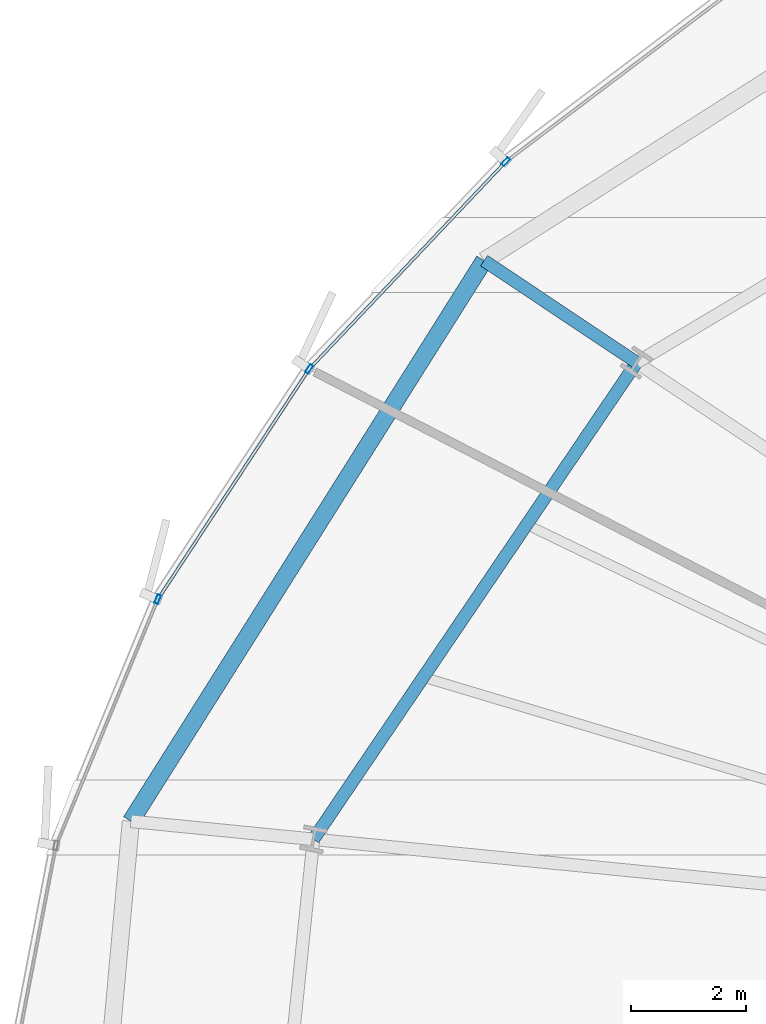
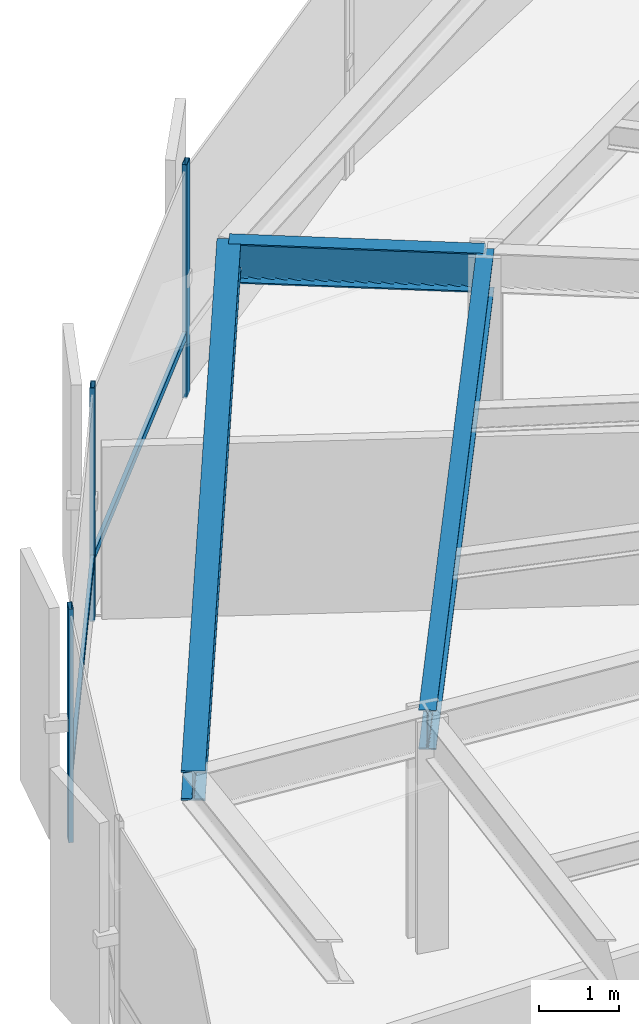
# One storey, part 18 of 37: 5 members, 3 beams, 1 element without a shape of its own.
"""IFC4 building model written with IfcOpenShell, lengths in metres."""

import ifcopenshell
import ifcopenshell.guid

model = None  # the IFC model being written
_history = None  # IfcOwnerHistory: only IFC2X3 demands one
_inside = {}  # id of a spatial element -> (the spatial element, [elements in it])
_under = {}  # id of a project, library or spatial element -> (it, [spatial elements below it])
_declared = {}  # id of a project -> (the project, [libraries it declares])
_typed = {}  # id of a type object -> (the type object, [elements of that type])
_made_of = {}  # id of a material, layer set ... -> (it, [elements and type objects made of it])


def new_model(schema):
    """Start an empty IFC model of exactly this schema.

    Asked for "IFC4X3", IfcOpenShell would pick the latest addendum, in which some entities
    have other attributes; the version numbers below select the first issue.
    IFC2X3 requires an IfcOwnerHistory on every rooted entity: one is made here for all.
    """
    global model, _history
    if schema == "IFC4X3":
        model = ifcopenshell.file(schema_version=(4, 3, 0, 0))
    else:
        model = ifcopenshell.file(schema=schema)
    _inside.clear()
    _under.clear()
    _declared.clear()
    _typed.clear()
    _made_of.clear()
    _history = None
    if model.schema == "IFC2X3":
        org = make("IfcOrganization", Name="unknown")
        user = make(
            "IfcPersonAndOrganization",
            ThePerson=make("IfcPerson", FamilyName="unknown"),
            TheOrganization=org,
        )
        app = make(
            "IfcApplication",
            ApplicationDeveloper=org,
            Version="unknown",
            ApplicationFullName="unknown",
            ApplicationIdentifier="unknown",
        )
        _history = make(
            "IfcOwnerHistory",
            OwningUser=user,
            OwningApplication=app,
            ChangeAction="ADDED",
            CreationDate=0,
        )
    return model


def make(cls, **values):
    """One entity of the class cls with the attributes given. An attribute that is None is left unset."""
    return model.create_entity(
        cls, **{name: value for name, value in values.items() if value is not None}
    )


def rooted(cls, **values):
    """An entity with a GlobalId (a new one), such as an element, a storey or a relation."""
    return make(cls, GlobalId=ifcopenshell.guid.new(), OwnerHistory=_history, **values)


def si_unit(unit_type, name, prefix=None):
    """IfcSIUnit, for example si_unit("LENGTHUNIT", "METRE", prefix="MILLI")."""
    return make("IfcSIUnit", UnitType=unit_type, Prefix=prefix, Name=name)


def assignment(units):
    """IfcUnitAssignment: the units of a project."""
    return None if units is None else make("IfcUnitAssignment", Units=units)


def point(xyz):
    """IfcCartesianPoint."""
    return None if xyz is None else make("IfcCartesianPoint", Coordinates=xyz)


def direction(xyz):
    """IfcDirection."""
    return None if xyz is None else make("IfcDirection", DirectionRatios=xyz)


def frame(location, z_axis=None, x_axis=None):
    """IfcAxis2Placement3D, a coordinate frame: its origin and axes. An axis left out is left unset."""
    return make(
        "IfcAxis2Placement3D",
        Location=point(location),
        Axis=direction(z_axis),
        RefDirection=direction(x_axis),
    )


def frame_2d(location, x_axis=None):
    """IfcAxis2Placement2D, a coordinate frame in the plane: its origin and x axis."""
    return make(
        "IfcAxis2Placement2D", Location=point(location), RefDirection=direction(x_axis)
    )


def origin():
    """The frame at (0, 0, 0) with its axes left unset."""
    return frame((0.0, 0.0, 0.0))


def origin_2d():
    """The frame at (0, 0) in the plane with its x axis left unset."""
    return frame_2d((0.0, 0.0))


def place(relative_to, where):
    """IfcLocalPlacement: puts the frame where relative to a parent placement (None: the world)."""
    return make(
        "IfcLocalPlacement", PlacementRelTo=relative_to, RelativePlacement=where
    )


def context(
    kind, dimensions, precision=None, world=None, true_north=None, identifier=None
):
    """IfcGeometricRepresentationContext, for example the 3D "Model" context."""
    return make(
        "IfcGeometricRepresentationContext",
        ContextIdentifier=identifier,
        ContextType=kind,
        CoordinateSpaceDimension=dimensions,
        Precision=precision,
        WorldCoordinateSystem=world,
        TrueNorth=true_north,
    )


def subcontext(parent, identifier, kind, view, scale=None):
    """IfcGeometricRepresentationSubContext, for example "Body" below "Model"."""
    return make(
        "IfcGeometricRepresentationSubContext",
        ContextIdentifier=identifier,
        ContextType=kind,
        ParentContext=parent,
        TargetScale=scale,
        TargetView=view,
    )


def project(units=None, contexts=None):
    """IfcProject with its units and contexts."""
    return rooted(
        "IfcProject",
        Name="project",
        RepresentationContexts=contexts,
        UnitsInContext=assignment(units),
    )


def spatial(cls, under=None, at=None, **own):
    """A site, building, storey or space (cls), placed at a placement, below another one or the project."""
    s = rooted(cls, ObjectPlacement=at, **own)
    if under is not None:
        _under.setdefault(under.id(), (under, []))[1].append(s)
    return s


def profile(cls, at=None, kind="AREA", **sizes):
    """A parametric profile (cls). Its sizes go by their IFC names, for example OverallWidth=200.0."""
    return make(cls, ProfileType=kind, Position=at, **sizes)


def hollow_rectangle(**sizes):
    """IfcRectangleHollowProfileDef."""
    return profile("IfcRectangleHollowProfileDef", **sizes)


def i_section(**sizes):
    """IfcIShapeProfileDef."""
    return profile("IfcIShapeProfileDef", **sizes)


def extrude(swept, where, along, depth):
    """IfcExtrudedAreaSolid: the profile swept, set in the frame where, extruded along a direction by depth."""
    return make(
        "IfcExtrudedAreaSolid",
        SweptArea=swept,
        Position=where,
        ExtrudedDirection=direction(along),
        Depth=depth,
    )


def shape(context_of_items, identifier, shape_type, items):
    """IfcShapeRepresentation: the items that make up one representation, for example the "Body"."""
    return make(
        "IfcShapeRepresentation",
        ContextOfItems=context_of_items,
        RepresentationIdentifier=identifier,
        RepresentationType=shape_type,
        Items=items,
    )


def source(mapping_origin, context_of_items, identifier, shape_type, items):
    """IfcRepresentationMap: a shape defined once, which mapped items show again and again."""
    return make(
        "IfcRepresentationMap",
        MappingOrigin=mapping_origin,
        MappedRepresentation=shape(context_of_items, identifier, shape_type, items),
    )


def transform(
    local_origin,
    x_axis=None,
    y_axis=None,
    z_axis=None,
    scale=None,
    scale2=None,
    scale3=None,
    uniform=True,
):
    """IfcCartesianTransformationOperator3D, or its non-uniform kind. x_axis, y_axis, z_axis: its Axis1, 2, 3."""
    if uniform:
        return make(
            "IfcCartesianTransformationOperator3D",
            Axis1=direction(x_axis),
            Axis2=direction(y_axis),
            LocalOrigin=point(local_origin),
            Scale=scale,
            Axis3=direction(z_axis),
        )
    return make(
        "IfcCartesianTransformationOperator3DnonUniform",
        Axis1=direction(x_axis),
        Axis2=direction(y_axis),
        LocalOrigin=point(local_origin),
        Scale=scale,
        Axis3=direction(z_axis),
        Scale2=scale2,
        Scale3=scale3,
    )


def mapped(mapping_source, mapping_target):
    """IfcMappedItem: shows the shape of a source again, moved by a transform."""
    return make(
        "IfcMappedItem", MappingSource=mapping_source, MappingTarget=mapping_target
    )


def material(Name=None, Category=None):
    """IfcMaterial."""
    return make("IfcMaterial", Name=Name, Category=Category)


def layer(
    of_material, thickness, ventilated=None, Name=None, Category=None, Priority=None
):
    """IfcMaterialLayer: one layer of a wall or slab, of a material (None: an air gap)."""
    return make(
        "IfcMaterialLayer",
        Material=of_material,
        LayerThickness=thickness,
        IsVentilated=ventilated,
        Name=Name,
        Category=Category,
        Priority=Priority,
    )


def layer_set(layers, Name=None):
    """IfcMaterialLayerSet."""
    return make("IfcMaterialLayerSet", MaterialLayers=layers, LayerSetName=Name)


def material_profile(
    of_material, cross_section, Name=None, Category=None, Priority=None
):
    """IfcMaterialProfile: a cross section and its material."""
    return make(
        "IfcMaterialProfile",
        Name=Name,
        Material=of_material,
        Profile=cross_section,
        Priority=Priority,
        Category=Category,
    )


def profile_set(profiles, Name=None, composite=None):
    """IfcMaterialProfileSet."""
    return make(
        "IfcMaterialProfileSet",
        Name=Name,
        MaterialProfiles=profiles,
        CompositeProfile=composite,
    )


def made_of(thing, what):
    """Note that an element or type object is made of a material, layer set ...; save() writes the relation."""
    if what is not None:
        _made_of.setdefault(what.id(), (what, []))[1].append(thing)
    return thing


def type_object(cls, material=None, **own):
    """A type object (cls), such as IfcWallType, which elements share."""
    return made_of(rooted(cls, **own), material)


def element(
    cls,
    number,
    at=None,
    inside=None,
    cuts=None,
    type_object=None,
    material=None,
    context=None,
    identifier="Body",
    shape_type=None,
    held_by="IfcProductDefinitionShape",
    body=None,
    shapes=None,
    **own,
):
    """One element of the class cls, such as IfcWall. Its Tag is "e" and its number.

    at: its placement. inside: the storey or other place that contains it. cuts: it is an
    opening in that element (IfcRelVoidsElement). A single representation is given by context,
    identifier, shape_type and body (its items); several are given by shapes. held_by: the class
    of the entity that holds the representations. save() writes the other relations.
    """
    e = rooted(cls, Tag="e%d" % number, ObjectPlacement=at, **own)
    if body is not None:
        shapes = [shape(context, identifier, shape_type, body)]
    if shapes is not None:
        e.Representation = make(held_by, Representations=shapes)
    if inside is not None:
        _inside.setdefault(inside.id(), (inside, []))[1].append(e)
    if cuts is not None:
        rooted(
            "IfcRelVoidsElement", RelatingBuildingElement=cuts, RelatedOpeningElement=e
        )
    if type_object is not None:
        _typed.setdefault(type_object.id(), (type_object, []))[1].append(e)
    return made_of(e, material)


def aggregate(whole, parts):
    """IfcRelAggregates: a whole, such as a stair, and the parts it consists of."""
    return rooted("IfcRelAggregates", RelatingObject=whole, RelatedObjects=parts)


def save(model, path):
    """Write the relations noted so far, then the file.

    IfcRelAggregates (storeys below a building ...), IfcRelContainedInSpatialStructure (elements
    in a storey), IfcRelDefinesByType, IfcRelAssociatesMaterial and IfcRelDeclares: one each for
    every whole, place, type object, material and project.
    """
    for whole, parts in _under.values():
        aggregate(whole, parts)
    for where, things in _inside.values():
        rooted(
            "IfcRelContainedInSpatialStructure",
            RelatedElements=things,
            RelatingStructure=where,
        )
    for kind, things in _typed.values():
        rooted("IfcRelDefinesByType", RelatedObjects=things, RelatingType=kind)
    for what, things in _made_of.values():
        rooted("IfcRelAssociatesMaterial", RelatedObjects=things, RelatingMaterial=what)
    for by, libraries in _declared.values():
        rooted("IfcRelDeclares", RelatingContext=by, RelatedDefinitions=libraries)
    model.write(path)


model = new_model("IFC4")

# Units and contexts
model_context = context("Model", 3, precision=1e-05, world=origin(), true_north=direction((0.0, 1.0)))
body_context = subcontext(model_context, "Body", "Model", "MODEL_VIEW")
ifc_project = project(units=[si_unit("LENGTHUNIT", "METRE"), si_unit("AREAUNIT", "SQUARE_METRE"), si_unit("VOLUMEUNIT", "CUBIC_METRE"), si_unit("PLANEANGLEUNIT", "RADIAN"), si_unit("MASSUNIT", "GRAM", prefix="KILO"), si_unit("THERMODYNAMICTEMPERATUREUNIT", "KELVIN")], contexts=[model_context])

# Site, building, storey
site_placement = place(None, origin())
site = spatial("IfcSite", under=ifc_project, at=site_placement, CompositionType="ELEMENT")
building_placement = place(site_placement, origin())
building = spatial("IfcBuilding", under=site, at=building_placement, Name="Kethvar Cultural Tower", CompositionType="ELEMENT")
storey_placement = place(building_placement, frame((0.0, 0.0, 60.0)))
storey = spatial("IfcBuildingStorey", under=building, at=storey_placement, Name="L14", CompositionType="ELEMENT", Elevation=60.0)

# Beams
ifc_material_1 = material(Name="Steel S355J2", Category="steel")
ifc_material_profile_1 = material_profile(ifc_material_1, i_section(OverallWidth=0.219970703125, OverallDepth=0.60009765625, WebThickness=0.011962890625, FlangeThickness=0.01904296875, FilletRadius=0.02392578125, at=origin_2d()), Name="Steel S355J2 — IPE600")
ifc_profile_set_1 = profile_set([ifc_material_profile_1], Name="Steel S355J2 — IPE600")
beam_type_1 = type_object("IfcBeamType", Name="BM-IPE600", PredefinedType="BEAM", material=ifc_profile_set_1)
shared_shape_1 = source(origin(), body_context, "Body", "SweptSolid", [
    extrude(i_section(OverallWidth=0.219970703125, OverallDepth=0.60009765625, WebThickness=0.011962890625, FlangeThickness=0.01904296875, FilletRadius=0.02392578125, at=origin_2d()), origin(), (0.0, 0.0, 1.0), 3.199951171875),
])
beam_1_placement = place(storey_placement, frame((26.6845703125, 41.24072265625, 3.248046875), z_axis=(-0.831462943996, 0.555580212716, 0.0), x_axis=(-0.555580212716, -0.831462943996, 0.0)))
element("IfcBeam", 1, at=beam_1_placement, inside=storey, type_object=beam_type_1, Name="L14 Perimeter Cantilever Beam RC-07", PredefinedType="BEAM", context=body_context, shape_type="MappedRepresentation", body=[
    mapped(shared_shape_1, transform((0.0, 0.0, 0.0), scale=1.0)),
])
shared_shape_2 = source(origin(), body_context, "Body", "SweptSolid", [
    extrude(i_section(OverallWidth=0.219970703125, OverallDepth=0.60009765625, WebThickness=0.011962890625, FlangeThickness=0.01904296875, FilletRadius=0.02392578125, at=origin_2d()), origin(), (0.0, 0.0, 1.0), 10.048583984375),
])
beam_2_placement = place(storey_placement, frame((26.6845703125, 41.24072265625, 3.248046875), z_axis=(-0.561025415443, -0.827798576483, 0.0), x_axis=(0.827798576483, -0.561025415443, 0.0)))
element("IfcBeam", 2, at=beam_2_placement, inside=storey, type_object=beam_type_1, Name="L14 Column Ring Tie Beam CR-07", PredefinedType="BEAM", context=body_context, shape_type="MappedRepresentation", body=[
    mapped(shared_shape_2, transform((0.0, 0.0, 0.0), scale=1.0)),
])
ifc_material_profile_2 = material_profile(ifc_material_1, i_section(OverallWidth=0.300048828125, OverallDepth=0.449951171875, WebThickness=0.013916015625, FlangeThickness=0.02587890625, FilletRadius=0.027099609375, at=origin_2d()), Name="Steel S355J2 — HEB450")
ifc_profile_set_2 = profile_set([ifc_material_profile_2], Name="Steel S355J2 — HEB450")
beam_type_2 = type_object("IfcBeamType", Name="BM-SP450", PredefinedType="SPANDREL", material=ifc_profile_set_2)
shared_shape_3 = source(origin(), body_context, "Body", "SweptSolid", [
    extrude(i_section(OverallWidth=0.300048828125, OverallDepth=0.449951171875, WebThickness=0.013916015625, FlangeThickness=0.02587890625, FilletRadius=0.027099609375, at=origin_2d()), origin(), (0.0, 0.0, 1.0), 11.560546875),
])
beam_3_placement = place(storey_placement, frame((24.02392578125, 43.0185546875, 3.322998046875), z_axis=(-0.532968413488, -0.846135137093, 0.0), x_axis=(0.846135137093, -0.532968413488, 0.0)))
element("IfcBeam", 3, at=beam_3_placement, inside=storey, type_object=beam_type_2, Name="L14 Perimeter Spandrel Beam SP-07", PredefinedType="SPANDREL", context=body_context, shape_type="MappedRepresentation", body=[
    mapped(shared_shape_3, transform((0.0, 0.0, 0.0), scale=1.0)),
])

# Curtain wall, members
ifc_material_2 = material(Name="Aluminium 6063-T6", Category="aluminium")
ifc_layer = layer(ifc_material_2, 0.179931640625, Name="Aluminium 6063-T6", Category="aluminium")
ifc_layer_set = layer_set([ifc_layer], Name="Aluminium 6063-T6 (180 mm)")
curtain_wall_type = type_object("IfcCurtainWallType", Name="CW-SYS-02-Z1", PredefinedType="NOTDEFINED", material=ifc_layer_set)
curtain_wall_placement = place(storey_placement, origin())
curtain_wall = element("IfcCurtainWall", 4, at=curtain_wall_placement, inside=storey, type_object=curtain_wall_type, Name="L14 Curtain Wall Run 03", PredefinedType="NOTDEFINED")
ifc_material_profile_3 = material_profile(ifc_material_2, hollow_rectangle(XDim=0.06494140625, YDim=0.159912109375, WallThickness=0.0048828125, at=origin_2d()), Name="Aluminium 6063-T6 — RHS160x65x5")
ifc_profile_set_3 = profile_set([ifc_material_profile_3], Name="Aluminium 6063-T6 — RHS160x65x5")
member_type_1 = type_object("IfcMemberType", Name="CW-SYS-02-Z1-MUL", PredefinedType="MULLION", material=ifc_profile_set_3)
shared_shape_4 = source(origin(), body_context, "Body", "SweptSolid", [
    extrude(hollow_rectangle(XDim=0.06494140625, YDim=0.159912109375, WallThickness=0.0048828125, at=origin_2d()), origin(), (0.0, 0.0, 1.0), 3.550048828125),
])
member_1_placement = place(storey_placement, frame((24.40087890625, 44.74365234375, 0.0), z_axis=(0.0, 0.0, 1.0), x_axis=(0.725902775435, -0.687797325246, 0.0)))
member_1 = element("IfcMember", 5, at=member_1_placement, type_object=member_type_1, Name="CW-L14-R03 Mullion 2", PredefinedType="MULLION", context=body_context, shape_type="MappedRepresentation", body=[
    mapped(shared_shape_4, transform((0.0, 0.0, 0.0), scale=1.0)),
])
member_2_placement = place(storey_placement, frame((20.9736328125, 41.129150390625, 0.0), z_axis=(0.0, 0.0, 1.0), x_axis=(0.835797778985, -0.549037405505, 0.0)))
member_2 = element("IfcMember", 6, at=member_2_placement, type_object=member_type_1, Name="CW-L14-R03 Mullion 3", PredefinedType="MULLION", context=body_context, shape_type="MappedRepresentation", body=[
    mapped(shared_shape_4, transform((0.0, 0.0, 0.0), scale=1.0)),
])
member_3_placement = place(storey_placement, frame((18.331298828125, 37.11083984375, 0.0), z_axis=(0.0, 0.0, 1.0), x_axis=(0.924326399495, -0.381602813403, 0.0)))
member_3 = element("IfcMember", 7, at=member_3_placement, type_object=member_type_1, Name="CW-L14-R03 Mullion 4", PredefinedType="MULLION", context=body_context, shape_type="MappedRepresentation", body=[
    mapped(shared_shape_4, transform((0.0, 0.0, 0.0), scale=1.0)),
])
ifc_material_profile_4 = material_profile(ifc_material_2, hollow_rectangle(XDim=0.054931640625, YDim=0.1201171875, WallThickness=0.00390625, at=origin_2d()), Name="Aluminium 6063-T6 — RHS120x55x4")
ifc_profile_set_4 = profile_set([ifc_material_profile_4], Name="Aluminium 6063-T6 — RHS120x55x4")
member_type_2 = type_object("IfcMemberType", Name="CW-SYS-02-Z1-TRN", PredefinedType="USERDEFINED", material=ifc_profile_set_4)
shared_shape_5 = source(origin(), body_context, "Body", "SweptSolid", [
    extrude(hollow_rectangle(XDim=0.054931640625, YDim=0.1201171875, WallThickness=0.00390625, at=origin_2d()), origin(), (0.0, 0.0, 1.0), 4.90869140625),
])
member_4_placement = place(storey_placement, frame((24.368896484375, 44.709716796875, 0.949951171875), z_axis=(-0.687801207079, -0.725899097355, 0.0), x_axis=(0.725899097355, -0.687801207079, 0.0)))
member_4 = element("IfcMember", 8, at=member_4_placement, type_object=member_type_2, Name="CW-L14-R03 Transom 2", ObjectType="TRANSOM", PredefinedType="USERDEFINED", context=body_context, shape_type="MappedRepresentation", body=[
    mapped(shared_shape_5, transform((0.0, 0.0, 0.0), scale=1.0)),
])
shared_shape_6 = source(origin(), body_context, "Body", "SweptSolid", [
    extrude(hollow_rectangle(XDim=0.054931640625, YDim=0.1201171875, WallThickness=0.00390625, at=origin_2d()), origin(), (0.0, 0.0, 1.0), 4.73828125),
])
member_5_placement = place(storey_placement, frame((20.947998046875, 41.090087890625, 0.949951171875), z_axis=(-0.549051417696, -0.835788574178, 0.0), x_axis=(0.835788574178, -0.549051417696, 0.0)))
member_5 = element("IfcMember", 9, at=member_5_placement, type_object=member_type_2, Name="CW-L14-R03 Transom 3", ObjectType="TRANSOM", PredefinedType="USERDEFINED", context=body_context, shape_type="MappedRepresentation", body=[
    mapped(shared_shape_6, transform((0.0, 0.0, 0.0), scale=1.0)),
])
aggregate(curtain_wall, [member_1, member_2, member_3, member_4, member_5])

save(model, "model.ifc")
